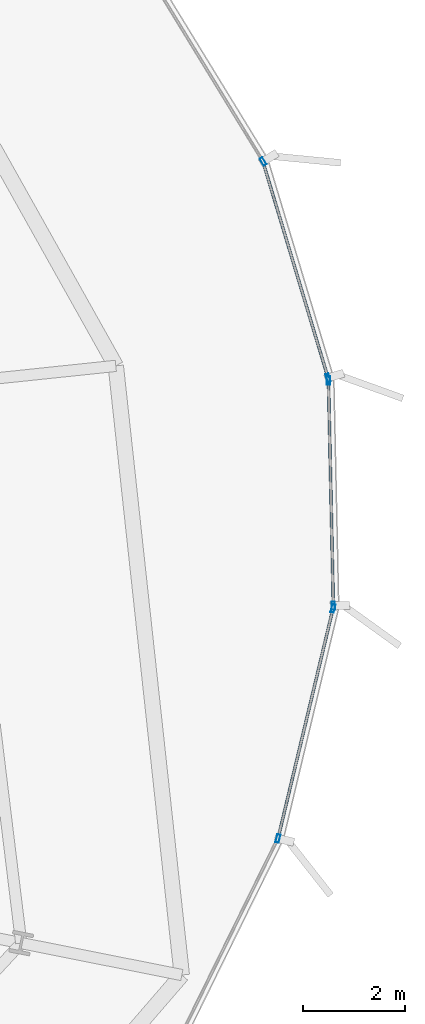
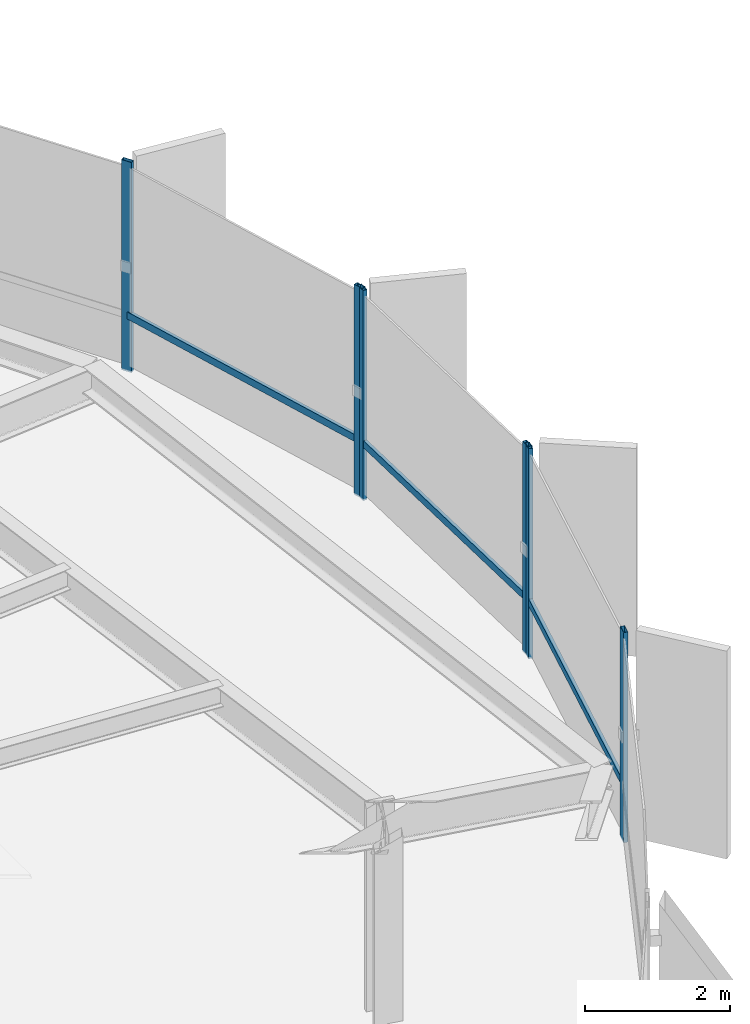
# One storey, part 30 of 38: 9 members, 3 elements without a shape of their own.
"""IFC4 building model written with IfcOpenShell, lengths in metres."""

from ifc_helpers import new_model, si_unit, direction, frame, origin, origin_2d, place, context, subcontext, project, spatial, hollow_rectangle, extrude, source, transform, mapped, material, layer, layer_set, material_profile, profile_set, type_object, element, aggregate, save


model = new_model("IFC4")

# Units and contexts
model_context = context("Model", 3, precision=1e-05, world=origin(), true_north=direction((0.0, 1.0)))
body_context = subcontext(model_context, "Body", "Model", "MODEL_VIEW")
ifc_project = project(units=[si_unit("LENGTHUNIT", "METRE"), si_unit("AREAUNIT", "SQUARE_METRE"), si_unit("VOLUMEUNIT", "CUBIC_METRE"), si_unit("PLANEANGLEUNIT", "RADIAN"), si_unit("MASSUNIT", "GRAM", prefix="KILO"), si_unit("THERMODYNAMICTEMPERATUREUNIT", "KELVIN")], contexts=[model_context])

# Site, building, storey
site_placement = place(None, origin())
site = spatial("IfcSite", under=ifc_project, at=site_placement, CompositionType="ELEMENT")
building_placement = place(site_placement, origin())
building = spatial("IfcBuilding", under=site, at=building_placement, Name="Kethvar Cultural Tower", CompositionType="ELEMENT")
storey_placement = place(building_placement, frame((0.0, 0.0, 67.60009765625)))
storey = spatial("IfcBuildingStorey", under=building, at=storey_placement, Name="L16", CompositionType="ELEMENT", Elevation=67.60009765625)

# Curtain wall, members
ifc_material = material(Name="Aluminium 6063-T6", Category="aluminium")
ifc_layer = layer(ifc_material, 0.179931640625, Name="Aluminium 6063-T6", Category="aluminium")
ifc_layer_set = layer_set([ifc_layer], Name="Aluminium 6063-T6 (180 mm)")
curtain_wall_type = type_object("IfcCurtainWallType", Name="CW-SYS-02-Z1", PredefinedType="NOTDEFINED", material=ifc_layer_set)
curtain_wall_1_placement = place(storey_placement, origin())
curtain_wall_1 = element("IfcCurtainWall", 1, at=curtain_wall_1_placement, inside=storey, type_object=curtain_wall_type, Name="L16 Curtain Wall Run 01", PredefinedType="NOTDEFINED")
ifc_material_profile_1 = material_profile(ifc_material, hollow_rectangle(XDim=0.06494140625, YDim=0.159912109375, WallThickness=0.0048828125, at=origin_2d()), Name="Aluminium 6063-T6 — RHS160x65x5")
ifc_profile_set_1 = profile_set([ifc_material_profile_1], Name="Aluminium 6063-T6 — RHS160x65x5")
member_type_1 = type_object("IfcMemberType", Name="CW-SYS-02-Z1-MUL", PredefinedType="MULLION", material=ifc_profile_set_1)
shared_shape_1 = source(origin(), body_context, "Body", "SweptSolid", [
    extrude(hollow_rectangle(XDim=0.06494140625, YDim=0.159912109375, WallThickness=0.0048828125, at=origin_2d()), origin(), (0.0, 0.0, 1.0), 3.5498046875),
])
member_1_placement = place(storey_placement, frame((80.98828125, 33.240966796875, 0.0), z_axis=(0.0, 0.0, 1.0), x_axis=(-0.957526079227, -0.288346679536, 0.0)))
member_1 = element("IfcMember", 2, at=member_1_placement, type_object=member_type_1, Name="CW-L16-R01 Mullion 1", PredefinedType="MULLION", context=body_context, shape_type="MappedRepresentation", body=[
    mapped(shared_shape_1, transform((0.0, 0.0, 0.0), scale=1.0)),
])
member_2_placement = place(storey_placement, frame((79.718505859375, 37.470458984375, 0.0), z_axis=(0.0, 0.0, 1.0), x_axis=(-0.853059378249, -0.521813852999, 0.0)))
member_2 = element("IfcMember", 3, at=member_2_placement, type_object=member_type_1, Name="CW-L16-R01 Mullion 2", PredefinedType="MULLION", context=body_context, shape_type="MappedRepresentation", body=[
    mapped(shared_shape_1, transform((0.0, 0.0, 0.0), scale=1.0)),
])

curtain_wall_2_placement = place(storey_placement, origin())
curtain_wall_2 = element("IfcCurtainWall", 4, at=curtain_wall_2_placement, inside=storey, type_object=curtain_wall_type, Name="L16 Curtain Wall Run 06", PredefinedType="NOTDEFINED")
member_3_placement = place(storey_placement, frame((80.010009765625, 24.2373046875, 0.0), z_axis=(0.0, 0.0, 1.0), x_axis=(-0.972552968036, 0.232681594384, 0.0)))
member_3 = element("IfcMember", 5, at=member_3_placement, type_object=member_type_1, Name="CW-L16-R06 Mullion 6", PredefinedType="MULLION", context=body_context, shape_type="MappedRepresentation", body=[
    mapped(shared_shape_1, transform((0.0, 0.0, 0.0), scale=1.0)),
])
member_4_placement = place(storey_placement, frame((81.0859375, 28.734130859375, 0.0), z_axis=(0.0, 0.0, 1.0), x_axis=(-0.972552968036, 0.232681594384, 0.0)))
member_4 = element("IfcMember", 6, at=member_4_placement, type_object=member_type_1, Name="CW-L16-R06 Mullion 7", PredefinedType="MULLION", context=body_context, shape_type="MappedRepresentation", body=[
    mapped(shared_shape_1, transform((0.0, 0.0, 0.0), scale=1.0)),
])

curtain_wall_3_placement = place(storey_placement, origin())
curtain_wall_3 = element("IfcCurtainWall", 7, at=curtain_wall_3_placement, inside=storey, type_object=curtain_wall_type, Name="L16 Curtain Wall Run 07", PredefinedType="NOTDEFINED")
member_5_placement = place(storey_placement, frame((81.091552734375, 28.787109375, 0.0), z_axis=(0.0, 0.0, 1.0), x_axis=(-0.99976544142, -0.021657842514, 0.0)))
member_5 = element("IfcMember", 8, at=member_5_placement, type_object=member_type_1, Name="CW-L16-R07 Mullion 1", PredefinedType="MULLION", context=body_context, shape_type="MappedRepresentation", body=[
    mapped(shared_shape_1, transform((0.0, 0.0, 0.0), scale=1.0)),
])
member_6_placement = place(storey_placement, frame((80.99609375, 33.190185546875, 0.0), z_axis=(0.0, 0.0, 1.0), x_axis=(-0.99976544142, -0.021657842514, 0.0)))
member_6 = element("IfcMember", 9, at=member_6_placement, type_object=member_type_1, Name="CW-L16-R07 Mullion 2", PredefinedType="MULLION", context=body_context, shape_type="MappedRepresentation", body=[
    mapped(shared_shape_1, transform((0.0, 0.0, 0.0), scale=1.0)),
])

# Member
ifc_material_profile_2 = material_profile(ifc_material, hollow_rectangle(XDim=0.054931640625, YDim=0.1201171875, WallThickness=0.00390625, at=origin_2d()), Name="Aluminium 6063-T6 — RHS120x55x4")
ifc_profile_set_2 = profile_set([ifc_material_profile_2], Name="Aluminium 6063-T6 — RHS120x55x4")
member_type_2 = type_object("IfcMemberType", Name="CW-SYS-02-Z1-TRN", PredefinedType="USERDEFINED", material=ifc_profile_set_2)
shared_shape_2 = source(origin(), body_context, "Body", "SweptSolid", [
    extrude(hollow_rectangle(XDim=0.054931640625, YDim=0.1201171875, WallThickness=0.00390625, at=origin_2d()), origin(), (0.0, 0.0, 1.0), 4.395263671875),
])
member_7_placement = place(storey_placement, frame((80.98681640625, 33.2451171875, 0.949951171875), z_axis=(-0.288346563343, 0.957526114217, 0.0), x_axis=(-0.957526114217, -0.288346563343, 0.0)))
member_7 = element("IfcMember", 10, at=member_7_placement, type_object=member_type_2, Name="CW-L16-R01 Transom 1", ObjectType="TRANSOM", PredefinedType="USERDEFINED", context=body_context, shape_type="MappedRepresentation", body=[
    mapped(shared_shape_2, transform((0.0, 0.0, 0.0), scale=1.0)),
])

aggregate(curtain_wall_1, [member_1, member_2, member_7])

shared_shape_3 = source(origin(), body_context, "Body", "SweptSolid", [
    extrude(hollow_rectangle(XDim=0.054931640625, YDim=0.1201171875, WallThickness=0.00390625, at=origin_2d()), origin(), (0.0, 0.0, 1.0), 4.572509765625),
])
member_8_placement = place(storey_placement, frame((80.02099609375, 24.28271484375, 0.949951171875), z_axis=(0.232686298643, 0.972551842538, 0.0), x_axis=(-0.972551842538, 0.232686298643, 0.0)))
member_8 = element("IfcMember", 11, at=member_8_placement, type_object=member_type_2, Name="CW-L16-R06 Transom 6", ObjectType="TRANSOM", PredefinedType="USERDEFINED", context=body_context, shape_type="MappedRepresentation", body=[
    mapped(shared_shape_3, transform((0.0, 0.0, 0.0), scale=1.0)),
])

aggregate(curtain_wall_2, [member_3, member_4, member_8])

shared_shape_4 = source(origin(), body_context, "Body", "SweptSolid", [
    extrude(hollow_rectangle(XDim=0.054931640625, YDim=0.1201171875, WallThickness=0.00390625, at=origin_2d()), origin(), (0.0, 0.0, 1.0), 4.39501953125),
])
member_9_placement = place(storey_placement, frame((81.091552734375, 28.79150390625, 0.949951171875), z_axis=(-0.021663988789, 0.999765308255, 0.0), x_axis=(-0.999765308255, -0.021663988789, 0.0)))
member_9 = element("IfcMember", 12, at=member_9_placement, type_object=member_type_2, Name="CW-L16-R07 Transom 1", ObjectType="TRANSOM", PredefinedType="USERDEFINED", context=body_context, shape_type="MappedRepresentation", body=[
    mapped(shared_shape_4, transform((0.0, 0.0, 0.0), scale=1.0)),
])

aggregate(curtain_wall_3, [member_5, member_6, member_9])

save(model, "model.ifc")
